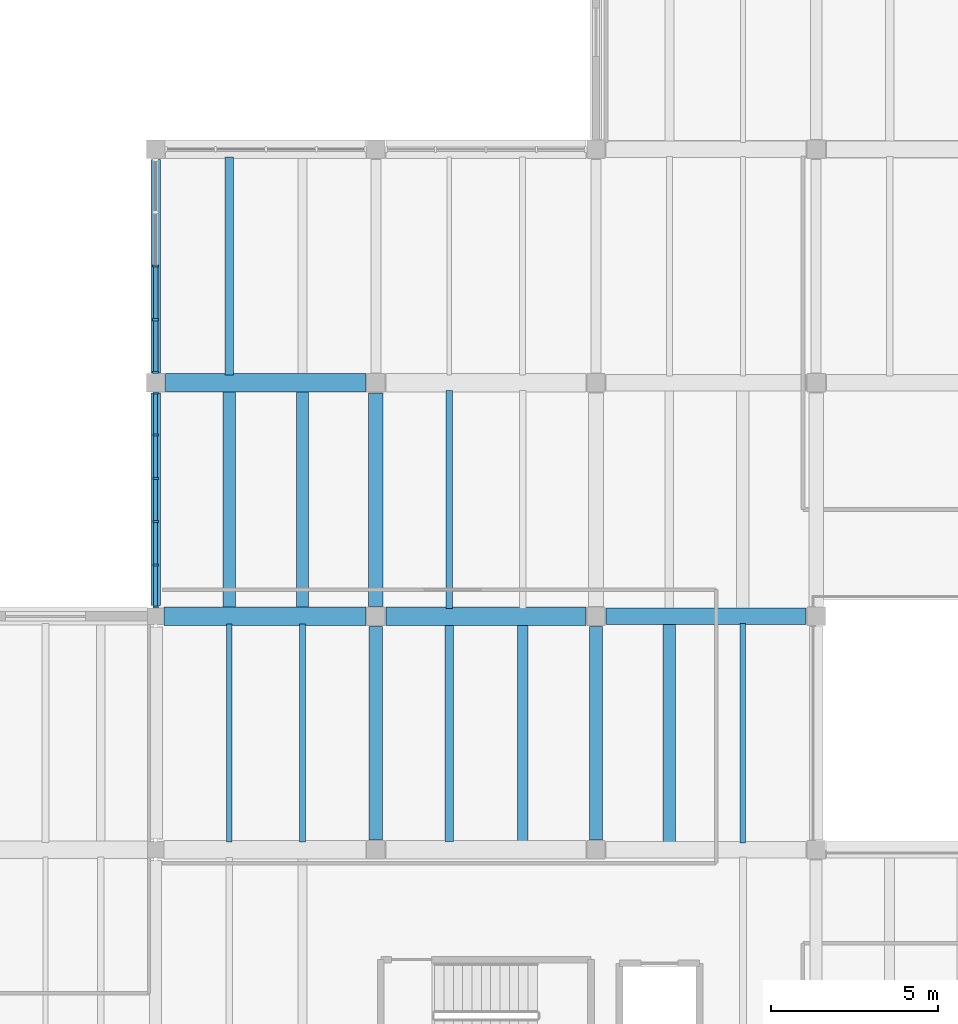
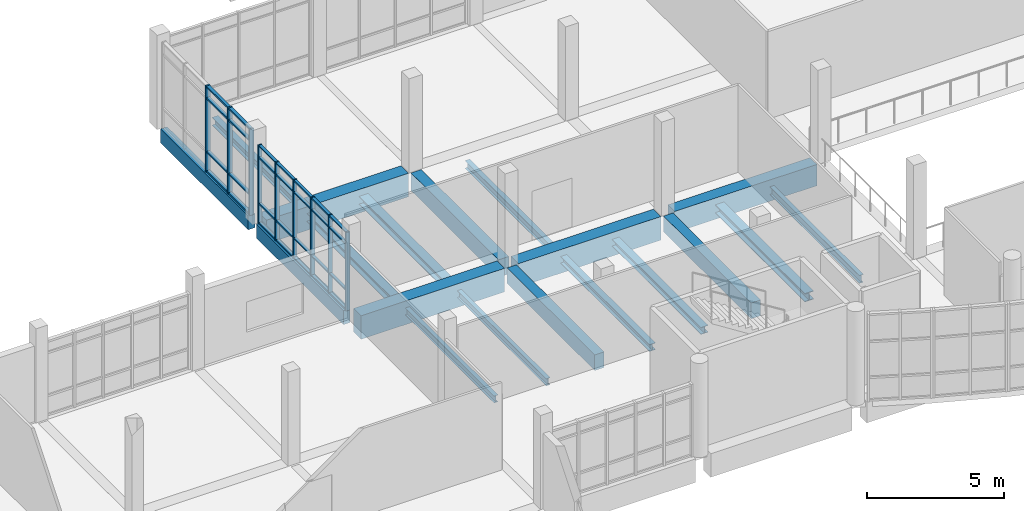
# One storey, part 6 of 65: 37 members, 19 beams, 2 elements without a shape of their own.
"""IFC4 building model written with IfcOpenShell, lengths in metres."""

from ifc_helpers import new_model, si_unit, direction, frame, origin, origin_2d, place, context, subcontext, project, spatial, rectangle, i_section, extrude, material, material_profile, profile_set, type_object, element, aggregate, save


model = new_model("IFC4")

# Units and contexts
model_context = context("Model", 3, precision=1e-05, world=origin(), true_north=direction((0.0, 1.0)))
body_context = subcontext(model_context, "Body", "Model", "MODEL_VIEW")
ifc_project = project(units=[si_unit("LENGTHUNIT", "METRE"), si_unit("AREAUNIT", "SQUARE_METRE"), si_unit("VOLUMEUNIT", "CUBIC_METRE"), si_unit("PLANEANGLEUNIT", "RADIAN"), si_unit("MASSUNIT", "GRAM", prefix="KILO")], contexts=[model_context])

# Site, building, storey
site_placement = place(None, origin())
site = spatial("IfcSite", under=ifc_project, at=site_placement, CompositionType="ELEMENT")
building_placement = place(site_placement, origin())
building = spatial("IfcBuilding", under=site, at=building_placement, Name="Ciguamira Faculty of Natural Sciences", CompositionType="ELEMENT")
storey_placement = place(building_placement, frame((0.0, 0.0, 12.60009765625)))
storey = spatial("IfcBuildingStorey", under=building, at=storey_placement, Name="L03", CompositionType="ELEMENT", Elevation=12.60009765625)

# Curtain wall, members
ifc_material_1 = material(Name="Anodized aluminium curtain wall", Category="aluminium")
curtain_wall_type_1 = type_object("IfcCurtainWallType", Name="CurtainWall_CW-04", PredefinedType="USERDEFINED", material=ifc_material_1)
curtain_wall_1_placement = place(storey_placement, origin())
curtain_wall_1 = element("IfcCurtainWall", 1, at=curtain_wall_1_placement, inside=storey, type_object=curtain_wall_type_1, Name="L03 unitised curtain wall 0100", ObjectType="UNITISED CURTAIN WALL", PredefinedType="USERDEFINED")
ifc_material_2 = material(Name="Anodized aluminium mullion", Category="aluminium")
ifc_material_profile_1 = material_profile(ifc_material_2, rectangle(XDim=0.06005859375, YDim=0.159912109375, at=origin_2d()), Name="ALU-MUL-60X160")
ifc_profile_set_1 = profile_set([ifc_material_profile_1], Name="Anodized aluminium mullion")
member_type_1 = type_object("IfcMemberType", Name="CWMullion_CWM-01", PredefinedType="MULLION", material=ifc_profile_set_1)
member_1_placement = place(storey_placement, frame((50.699951171875, 24.280029296875, 0.0), z_axis=(0.0, 0.0, 1.0), x_axis=(0.0, 1.0, 0.0)))
member_1 = element("IfcMember", 2, at=member_1_placement, type_object=member_type_1, Name="CW-04 mullion 1", PredefinedType="MULLION", context=body_context, shape_type="SweptSolid", body=[
    extrude(rectangle(XDim=0.06005859375, YDim=0.159912109375, at=origin_2d()), origin(), (0.0, 0.0, 1.0), 3.5048828125),
])
member_2_placement = place(storey_placement, frame((50.699951171875, 25.544921875, 0.0), z_axis=(0.0, 0.0, 1.0), x_axis=(0.0, 1.0, 0.0)))
member_2 = element("IfcMember", 3, at=member_2_placement, type_object=member_type_1, Name="CW-04 mullion 2", PredefinedType="MULLION", context=body_context, shape_type="SweptSolid", body=[
    extrude(rectangle(XDim=0.06005859375, YDim=0.159912109375, at=origin_2d()), origin(), (0.0, 0.0, 1.0), 3.5048828125),
])
member_3_placement = place(storey_placement, frame((50.699951171875, 26.840087890625, 0.0), z_axis=(0.0, 0.0, 1.0), x_axis=(0.0, 1.0, 0.0)))
member_3 = element("IfcMember", 4, at=member_3_placement, type_object=member_type_1, Name="CW-04 mullion 3", PredefinedType="MULLION", context=body_context, shape_type="SweptSolid", body=[
    extrude(rectangle(XDim=0.06005859375, YDim=0.159912109375, at=origin_2d()), origin(), (0.0, 0.0, 1.0), 3.5048828125),
])
member_4_placement = place(storey_placement, frame((50.699951171875, 28.135009765625, 0.0), z_axis=(0.0, 0.0, 1.0), x_axis=(0.0, 1.0, 0.0)))
member_4 = element("IfcMember", 5, at=member_4_placement, type_object=member_type_1, Name="CW-04 mullion 4", PredefinedType="MULLION", context=body_context, shape_type="SweptSolid", body=[
    extrude(rectangle(XDim=0.06005859375, YDim=0.159912109375, at=origin_2d()), origin(), (0.0, 0.0, 1.0), 3.5048828125),
])
member_5_placement = place(storey_placement, frame((50.699951171875, 29.429931640625, 0.0), z_axis=(0.0, 0.0, 1.0), x_axis=(0.0, 1.0, 0.0)))
member_5 = element("IfcMember", 6, at=member_5_placement, type_object=member_type_1, Name="CW-04 mullion 5", PredefinedType="MULLION", context=body_context, shape_type="SweptSolid", body=[
    extrude(rectangle(XDim=0.06005859375, YDim=0.159912109375, at=origin_2d()), origin(), (0.0, 0.0, 1.0), 3.5048828125),
])
member_6_placement = place(storey_placement, frame((50.699951171875, 30.695068359375, 0.0), z_axis=(0.0, 0.0, 1.0), x_axis=(0.0, 1.0, 0.0)))
member_6 = element("IfcMember", 7, at=member_6_placement, type_object=member_type_1, Name="CW-04 mullion 6", PredefinedType="MULLION", context=body_context, shape_type="SweptSolid", body=[
    extrude(rectangle(XDim=0.06005859375, YDim=0.159912109375, at=origin_2d()), origin(), (0.0, 0.0, 1.0), 3.5048828125),
])

curtain_wall_type_2 = type_object("IfcCurtainWallType", Name="CurtainWall_CW-05", PredefinedType="USERDEFINED", material=ifc_material_1)
curtain_wall_2_placement = place(storey_placement, origin())
curtain_wall_2 = element("IfcCurtainWall", 8, at=curtain_wall_2_placement, inside=storey, type_object=curtain_wall_type_2, Name="L03 unitised curtain wall 0101", ObjectType="UNITISED CURTAIN WALL", PredefinedType="USERDEFINED")
ifc_material_profile_2 = material_profile(ifc_material_2, rectangle(XDim=0.070068359375, YDim=0.179931640625, at=origin_2d()), Name="ALU-MUL-70X180")
ifc_profile_set_2 = profile_set([ifc_material_profile_2], Name="Anodized aluminium mullion")
member_type_2 = type_object("IfcMemberType", Name="CWMullion_CWM-02", PredefinedType="MULLION", material=ifc_profile_set_2)
member_7_placement = place(storey_placement, frame((50.699951171875, 31.31005859375, 0.0), z_axis=(0.0, 0.0, 1.0), x_axis=(0.0, 1.0, 0.0)))
member_7 = element("IfcMember", 9, at=member_7_placement, type_object=member_type_2, Name="CW-05 mullion 1", PredefinedType="MULLION", context=body_context, shape_type="SweptSolid", body=[
    extrude(rectangle(XDim=0.070068359375, YDim=0.179931640625, at=origin_2d()), origin(), (0.0, 0.0, 1.0), 3.849853515625),
])
member_8_placement = place(storey_placement, frame((50.699951171875, 32.887451171875, 0.0), z_axis=(0.0, 0.0, 1.0), x_axis=(0.0, 1.0, 0.0)))
member_8 = element("IfcMember", 10, at=member_8_placement, type_object=member_type_2, Name="CW-05 mullion 2", PredefinedType="MULLION", context=body_context, shape_type="SweptSolid", body=[
    extrude(rectangle(XDim=0.070068359375, YDim=0.179931640625, at=origin_2d()), origin(), (0.0, 0.0, 1.0), 3.849853515625),
])
member_9_placement = place(storey_placement, frame((50.699951171875, 34.5, 0.0), z_axis=(0.0, 0.0, 1.0), x_axis=(0.0, 1.0, 0.0)))
member_9 = element("IfcMember", 11, at=member_9_placement, type_object=member_type_2, Name="CW-05 mullion 3", PredefinedType="MULLION", context=body_context, shape_type="SweptSolid", body=[
    extrude(rectangle(XDim=0.070068359375, YDim=0.179931640625, at=origin_2d()), origin(), (0.0, 0.0, 1.0), 3.849853515625),
])

# Member
ifc_material_3 = material(Name="Anodized aluminium transom", Category="aluminium")
ifc_material_profile_3 = material_profile(ifc_material_3, rectangle(XDim=0.06005859375, YDim=0.1201171875, at=origin_2d()), Name="ALU-TRN-60X120")
ifc_profile_set_3 = profile_set([ifc_material_profile_3], Name="Anodized aluminium transom")
member_type_3 = type_object("IfcMemberType", Name="CWTransom_CWT-01", PredefinedType="USERDEFINED", material=ifc_profile_set_3)
member_10_placement = place(storey_placement, frame((50.699951171875, 24.31005859375, 0.02978515625), z_axis=(0.0, 1.0, 0.0), x_axis=(0.0, 0.0, 1.0)))
member_10 = element("IfcMember", 12, at=member_10_placement, type_object=member_type_3, Name="CW-04 transom 1.1", ObjectType="TRANSOM", PredefinedType="USERDEFINED", context=body_context, shape_type="SweptSolid", body=[
    extrude(rectangle(XDim=0.06005859375, YDim=0.1201171875, at=origin_2d()), origin(), (0.0, 0.0, 1.0), 1.204833984375),
])

member_11_placement = place(storey_placement, frame((50.699951171875, 24.31005859375, 0.89990234375), z_axis=(0.0, 1.0, 0.0), x_axis=(0.0, 0.0, 1.0)))
member_11 = element("IfcMember", 13, at=member_11_placement, type_object=member_type_3, Name="CW-04 transom 1.2", ObjectType="TRANSOM", PredefinedType="USERDEFINED", context=body_context, shape_type="SweptSolid", body=[
    extrude(rectangle(XDim=0.06005859375, YDim=0.1201171875, at=origin_2d()), origin(), (0.0, 0.0, 1.0), 1.204833984375),
])

member_12_placement = place(storey_placement, frame((50.699951171875, 24.31005859375, 2.954833984375), z_axis=(0.0, 1.0, 0.0), x_axis=(0.0, 0.0, 1.0)))
member_12 = element("IfcMember", 14, at=member_12_placement, type_object=member_type_3, Name="CW-04 transom 1.3", ObjectType="TRANSOM", PredefinedType="USERDEFINED", context=body_context, shape_type="SweptSolid", body=[
    extrude(rectangle(XDim=0.06005859375, YDim=0.1201171875, at=origin_2d()), origin(), (0.0, 0.0, 1.0), 1.204833984375),
])

member_13_placement = place(storey_placement, frame((50.699951171875, 24.31005859375, 3.474853515625), z_axis=(0.0, 1.0, 0.0), x_axis=(0.0, 0.0, 1.0)))
member_13 = element("IfcMember", 15, at=member_13_placement, type_object=member_type_3, Name="CW-04 transom 1.4", ObjectType="TRANSOM", PredefinedType="USERDEFINED", context=body_context, shape_type="SweptSolid", body=[
    extrude(rectangle(XDim=0.06005859375, YDim=0.1201171875, at=origin_2d()), origin(), (0.0, 0.0, 1.0), 1.204833984375),
])

member_14_placement = place(storey_placement, frame((50.699951171875, 25.574951171875, 0.02978515625), z_axis=(0.0, 1.0, 0.0), x_axis=(0.0, 0.0, 1.0)))
member_14 = element("IfcMember", 16, at=member_14_placement, type_object=member_type_3, Name="CW-04 transom 2.1", ObjectType="TRANSOM", PredefinedType="USERDEFINED", context=body_context, shape_type="SweptSolid", body=[
    extrude(rectangle(XDim=0.06005859375, YDim=0.1201171875, at=origin_2d()), origin(), (0.0, 0.0, 1.0), 1.235107421875),
])

member_15_placement = place(storey_placement, frame((50.699951171875, 25.574951171875, 0.89990234375), z_axis=(0.0, 1.0, 0.0), x_axis=(0.0, 0.0, 1.0)))
member_15 = element("IfcMember", 17, at=member_15_placement, type_object=member_type_3, Name="CW-04 transom 2.2", ObjectType="TRANSOM", PredefinedType="USERDEFINED", context=body_context, shape_type="SweptSolid", body=[
    extrude(rectangle(XDim=0.06005859375, YDim=0.1201171875, at=origin_2d()), origin(), (0.0, 0.0, 1.0), 1.235107421875),
])

member_16_placement = place(storey_placement, frame((50.699951171875, 25.574951171875, 2.954833984375), z_axis=(0.0, 1.0, 0.0), x_axis=(0.0, 0.0, 1.0)))
member_16 = element("IfcMember", 18, at=member_16_placement, type_object=member_type_3, Name="CW-04 transom 2.3", ObjectType="TRANSOM", PredefinedType="USERDEFINED", context=body_context, shape_type="SweptSolid", body=[
    extrude(rectangle(XDim=0.06005859375, YDim=0.1201171875, at=origin_2d()), origin(), (0.0, 0.0, 1.0), 1.235107421875),
])

member_17_placement = place(storey_placement, frame((50.699951171875, 25.574951171875, 3.474853515625), z_axis=(0.0, 1.0, 0.0), x_axis=(0.0, 0.0, 1.0)))
member_17 = element("IfcMember", 19, at=member_17_placement, type_object=member_type_3, Name="CW-04 transom 2.4", ObjectType="TRANSOM", PredefinedType="USERDEFINED", context=body_context, shape_type="SweptSolid", body=[
    extrude(rectangle(XDim=0.06005859375, YDim=0.1201171875, at=origin_2d()), origin(), (0.0, 0.0, 1.0), 1.235107421875),
])

member_18_placement = place(storey_placement, frame((50.699951171875, 26.8701171875, 0.02978515625), z_axis=(0.0, 1.0, 0.0), x_axis=(0.0, 0.0, 1.0)))
member_18 = element("IfcMember", 20, at=member_18_placement, type_object=member_type_3, Name="CW-04 transom 3.1", ObjectType="TRANSOM", PredefinedType="USERDEFINED", context=body_context, shape_type="SweptSolid", body=[
    extrude(rectangle(XDim=0.06005859375, YDim=0.1201171875, at=origin_2d()), origin(), (0.0, 0.0, 1.0), 1.23486328125),
])

member_19_placement = place(storey_placement, frame((50.699951171875, 26.8701171875, 0.89990234375), z_axis=(0.0, 1.0, 0.0), x_axis=(0.0, 0.0, 1.0)))
member_19 = element("IfcMember", 21, at=member_19_placement, type_object=member_type_3, Name="CW-04 transom 3.2", ObjectType="TRANSOM", PredefinedType="USERDEFINED", context=body_context, shape_type="SweptSolid", body=[
    extrude(rectangle(XDim=0.06005859375, YDim=0.1201171875, at=origin_2d()), origin(), (0.0, 0.0, 1.0), 1.23486328125),
])

member_20_placement = place(storey_placement, frame((50.699951171875, 26.8701171875, 2.954833984375), z_axis=(0.0, 1.0, 0.0), x_axis=(0.0, 0.0, 1.0)))
member_20 = element("IfcMember", 22, at=member_20_placement, type_object=member_type_3, Name="CW-04 transom 3.3", ObjectType="TRANSOM", PredefinedType="USERDEFINED", context=body_context, shape_type="SweptSolid", body=[
    extrude(rectangle(XDim=0.06005859375, YDim=0.1201171875, at=origin_2d()), origin(), (0.0, 0.0, 1.0), 1.23486328125),
])

member_21_placement = place(storey_placement, frame((50.699951171875, 26.8701171875, 3.474853515625), z_axis=(0.0, 1.0, 0.0), x_axis=(0.0, 0.0, 1.0)))
member_21 = element("IfcMember", 23, at=member_21_placement, type_object=member_type_3, Name="CW-04 transom 3.4", ObjectType="TRANSOM", PredefinedType="USERDEFINED", context=body_context, shape_type="SweptSolid", body=[
    extrude(rectangle(XDim=0.06005859375, YDim=0.1201171875, at=origin_2d()), origin(), (0.0, 0.0, 1.0), 1.23486328125),
])

member_22_placement = place(storey_placement, frame((50.699951171875, 28.1650390625, 0.02978515625), z_axis=(0.0, 1.0, 0.0), x_axis=(0.0, 0.0, 1.0)))
member_22 = element("IfcMember", 24, at=member_22_placement, type_object=member_type_3, Name="CW-04 transom 4.1", ObjectType="TRANSOM", PredefinedType="USERDEFINED", context=body_context, shape_type="SweptSolid", body=[
    extrude(rectangle(XDim=0.06005859375, YDim=0.1201171875, at=origin_2d()), origin(), (0.0, 0.0, 1.0), 1.23486328125),
])

member_23_placement = place(storey_placement, frame((50.699951171875, 28.1650390625, 0.89990234375), z_axis=(0.0, 1.0, 0.0), x_axis=(0.0, 0.0, 1.0)))
member_23 = element("IfcMember", 25, at=member_23_placement, type_object=member_type_3, Name="CW-04 transom 4.2", ObjectType="TRANSOM", PredefinedType="USERDEFINED", context=body_context, shape_type="SweptSolid", body=[
    extrude(rectangle(XDim=0.06005859375, YDim=0.1201171875, at=origin_2d()), origin(), (0.0, 0.0, 1.0), 1.23486328125),
])

member_24_placement = place(storey_placement, frame((50.699951171875, 28.1650390625, 2.954833984375), z_axis=(0.0, 1.0, 0.0), x_axis=(0.0, 0.0, 1.0)))
member_24 = element("IfcMember", 26, at=member_24_placement, type_object=member_type_3, Name="CW-04 transom 4.3", ObjectType="TRANSOM", PredefinedType="USERDEFINED", context=body_context, shape_type="SweptSolid", body=[
    extrude(rectangle(XDim=0.06005859375, YDim=0.1201171875, at=origin_2d()), origin(), (0.0, 0.0, 1.0), 1.23486328125),
])

member_25_placement = place(storey_placement, frame((50.699951171875, 28.1650390625, 3.474853515625), z_axis=(0.0, 1.0, 0.0), x_axis=(0.0, 0.0, 1.0)))
member_25 = element("IfcMember", 27, at=member_25_placement, type_object=member_type_3, Name="CW-04 transom 4.4", ObjectType="TRANSOM", PredefinedType="USERDEFINED", context=body_context, shape_type="SweptSolid", body=[
    extrude(rectangle(XDim=0.06005859375, YDim=0.1201171875, at=origin_2d()), origin(), (0.0, 0.0, 1.0), 1.23486328125),
])

member_26_placement = place(storey_placement, frame((50.699951171875, 29.4599609375, 0.02978515625), z_axis=(0.0, 1.0, 0.0), x_axis=(0.0, 0.0, 1.0)))
member_26 = element("IfcMember", 28, at=member_26_placement, type_object=member_type_3, Name="CW-04 transom 5.1", ObjectType="TRANSOM", PredefinedType="USERDEFINED", context=body_context, shape_type="SweptSolid", body=[
    extrude(rectangle(XDim=0.06005859375, YDim=0.1201171875, at=origin_2d()), origin(), (0.0, 0.0, 1.0), 1.205078125),
])

member_27_placement = place(storey_placement, frame((50.699951171875, 29.4599609375, 0.89990234375), z_axis=(0.0, 1.0, 0.0), x_axis=(0.0, 0.0, 1.0)))
member_27 = element("IfcMember", 29, at=member_27_placement, type_object=member_type_3, Name="CW-04 transom 5.2", ObjectType="TRANSOM", PredefinedType="USERDEFINED", context=body_context, shape_type="SweptSolid", body=[
    extrude(rectangle(XDim=0.06005859375, YDim=0.1201171875, at=origin_2d()), origin(), (0.0, 0.0, 1.0), 1.205078125),
])

member_28_placement = place(storey_placement, frame((50.699951171875, 29.4599609375, 2.954833984375), z_axis=(0.0, 1.0, 0.0), x_axis=(0.0, 0.0, 1.0)))
member_28 = element("IfcMember", 30, at=member_28_placement, type_object=member_type_3, Name="CW-04 transom 5.3", ObjectType="TRANSOM", PredefinedType="USERDEFINED", context=body_context, shape_type="SweptSolid", body=[
    extrude(rectangle(XDim=0.06005859375, YDim=0.1201171875, at=origin_2d()), origin(), (0.0, 0.0, 1.0), 1.205078125),
])

member_29_placement = place(storey_placement, frame((50.699951171875, 29.4599609375, 3.474853515625), z_axis=(0.0, 1.0, 0.0), x_axis=(0.0, 0.0, 1.0)))
member_29 = element("IfcMember", 31, at=member_29_placement, type_object=member_type_3, Name="CW-04 transom 5.4", ObjectType="TRANSOM", PredefinedType="USERDEFINED", context=body_context, shape_type="SweptSolid", body=[
    extrude(rectangle(XDim=0.06005859375, YDim=0.1201171875, at=origin_2d()), origin(), (0.0, 0.0, 1.0), 1.205078125),
])

aggregate(curtain_wall_1, [member_1, member_2, member_3, member_4, member_5, member_6, member_10, member_11, member_12, member_13, member_14, member_15, member_16, member_17, member_18, member_19, member_20, member_21, member_22, member_23, member_24, member_25, member_26, member_27, member_28, member_29])

ifc_material_profile_4 = material_profile(ifc_material_3, rectangle(XDim=0.070068359375, YDim=0.139892578125, at=origin_2d()), Name="ALU-TRN-70X140")
ifc_profile_set_4 = profile_set([ifc_material_profile_4], Name="Anodized aluminium transom")
member_type_4 = type_object("IfcMemberType", Name="CWTransom_CWT-02", PredefinedType="USERDEFINED", material=ifc_profile_set_4)
member_30_placement = place(storey_placement, frame((50.699951171875, 31.344970703125, 0.034912109375), z_axis=(0.0, 1.0, 0.0), x_axis=(0.0, 0.0, 1.0)))
member_30 = element("IfcMember", 32, at=member_30_placement, type_object=member_type_4, Name="CW-05 transom 1.1", ObjectType="TRANSOM", PredefinedType="USERDEFINED", context=body_context, shape_type="SweptSolid", body=[
    extrude(rectangle(XDim=0.070068359375, YDim=0.139892578125, at=origin_2d()), origin(), (0.0, 0.0, 1.0), 1.507568359375),
])

member_31_placement = place(storey_placement, frame((50.699951171875, 31.344970703125, 0.89990234375), z_axis=(0.0, 1.0, 0.0), x_axis=(0.0, 0.0, 1.0)))
member_31 = element("IfcMember", 33, at=member_31_placement, type_object=member_type_4, Name="CW-05 transom 1.2", ObjectType="TRANSOM", PredefinedType="USERDEFINED", context=body_context, shape_type="SweptSolid", body=[
    extrude(rectangle(XDim=0.070068359375, YDim=0.139892578125, at=origin_2d()), origin(), (0.0, 0.0, 1.0), 1.507568359375),
])

member_32_placement = place(storey_placement, frame((50.699951171875, 31.344970703125, 3.2998046875), z_axis=(0.0, 1.0, 0.0), x_axis=(0.0, 0.0, 1.0)))
member_32 = element("IfcMember", 34, at=member_32_placement, type_object=member_type_4, Name="CW-05 transom 1.3", ObjectType="TRANSOM", PredefinedType="USERDEFINED", context=body_context, shape_type="SweptSolid", body=[
    extrude(rectangle(XDim=0.070068359375, YDim=0.139892578125, at=origin_2d()), origin(), (0.0, 0.0, 1.0), 1.507568359375),
])

member_33_placement = place(storey_placement, frame((50.699951171875, 31.344970703125, 3.81494140625), z_axis=(0.0, 1.0, 0.0), x_axis=(0.0, 0.0, 1.0)))
member_33 = element("IfcMember", 35, at=member_33_placement, type_object=member_type_4, Name="CW-05 transom 1.4", ObjectType="TRANSOM", PredefinedType="USERDEFINED", context=body_context, shape_type="SweptSolid", body=[
    extrude(rectangle(XDim=0.070068359375, YDim=0.139892578125, at=origin_2d()), origin(), (0.0, 0.0, 1.0), 1.507568359375),
])

member_34_placement = place(storey_placement, frame((50.699951171875, 32.922607421875, 0.034912109375), z_axis=(0.0, 1.0, 0.0), x_axis=(0.0, 0.0, 1.0)))
member_34 = element("IfcMember", 36, at=member_34_placement, type_object=member_type_4, Name="CW-05 transom 2.1", ObjectType="TRANSOM", PredefinedType="USERDEFINED", context=body_context, shape_type="SweptSolid", body=[
    extrude(rectangle(XDim=0.070068359375, YDim=0.139892578125, at=origin_2d()), origin(), (0.0, 0.0, 1.0), 1.54248046875),
])

member_35_placement = place(storey_placement, frame((50.699951171875, 32.922607421875, 0.89990234375), z_axis=(0.0, 1.0, 0.0), x_axis=(0.0, 0.0, 1.0)))
member_35 = element("IfcMember", 37, at=member_35_placement, type_object=member_type_4, Name="CW-05 transom 2.2", ObjectType="TRANSOM", PredefinedType="USERDEFINED", context=body_context, shape_type="SweptSolid", body=[
    extrude(rectangle(XDim=0.070068359375, YDim=0.139892578125, at=origin_2d()), origin(), (0.0, 0.0, 1.0), 1.54248046875),
])

member_36_placement = place(storey_placement, frame((50.699951171875, 32.922607421875, 3.2998046875), z_axis=(0.0, 1.0, 0.0), x_axis=(0.0, 0.0, 1.0)))
member_36 = element("IfcMember", 38, at=member_36_placement, type_object=member_type_4, Name="CW-05 transom 2.3", ObjectType="TRANSOM", PredefinedType="USERDEFINED", context=body_context, shape_type="SweptSolid", body=[
    extrude(rectangle(XDim=0.070068359375, YDim=0.139892578125, at=origin_2d()), origin(), (0.0, 0.0, 1.0), 1.54248046875),
])

member_37_placement = place(storey_placement, frame((50.699951171875, 32.922607421875, 3.81494140625), z_axis=(0.0, 1.0, 0.0), x_axis=(0.0, 0.0, 1.0)))
member_37 = element("IfcMember", 39, at=member_37_placement, type_object=member_type_4, Name="CW-05 transom 2.4", ObjectType="TRANSOM", PredefinedType="USERDEFINED", context=body_context, shape_type="SweptSolid", body=[
    extrude(rectangle(XDim=0.070068359375, YDim=0.139892578125, at=origin_2d()), origin(), (0.0, 0.0, 1.0), 1.54248046875),
])

aggregate(curtain_wall_2, [member_7, member_8, member_9, member_30, member_31, member_32, member_33, member_34, member_35, member_36, member_37])

# Beams
ifc_material_4 = material(Name="Concrete C40/50", Category="concrete")
ifc_material_profile_5 = material_profile(ifc_material_4, rectangle(XDim=0.550048828125, YDim=1.050048828125, at=origin_2d()), Name="RC-BM-550X1050")
ifc_profile_set_5 = profile_set([ifc_material_profile_5], Name="Concrete C40/50")
beam_type_1 = type_object("IfcBeamType", Name="RCBeam_BG-01_RC-BM-550X1050", PredefinedType="BEAM", material=ifc_profile_set_5)
beam_1_placement = place(storey_placement, frame((50.949951171875, 24.0, -0.525146484375), z_axis=(1.0, 0.0, 0.0), x_axis=(0.0, 1.0, 0.0)))
element("IfcBeam", 40, at=beam_1_placement, inside=storey, type_object=beam_type_1, Name="L03 RC girder EW-1063", PredefinedType="BEAM", context=body_context, shape_type="SweptSolid", body=[
    extrude(rectangle(XDim=0.550048828125, YDim=1.050048828125, at=origin_2d()), origin(), (0.0, 0.0, 1.0), 6.050048828125),
])
for number, where, z_axis, x_axis, name in (
    (41, (57.60009765625, 24.0, -0.525146484375), (1.0, 0.0, 0.0), (0.0, 1.0, 0.0), "L03 RC girder EW-1064"),
    (42, (51.0, 31.0, -0.525146484375), (1.0, 0.0, 0.0), (0.0, 1.0, 0.0), "L03 RC girder EW-1069"),
):
    element("IfcBeam", number, at=place(storey_placement, frame(where, z_axis=z_axis, x_axis=x_axis)), inside=storey, type_object=beam_type_1, Name=name, PredefinedType="BEAM", context=body_context, shape_type="SweptSolid", body=[
        extrude(rectangle(XDim=0.550048828125, YDim=1.050048828125, at=origin_2d()), origin(), (0.0, 0.0, 1.0), 6.0),
    ])
ifc_material_profile_6 = material_profile(ifc_material_4, rectangle(XDim=0.5, YDim=0.949951171875, at=origin_2d()), Name="RC-BM-500X950")
ifc_profile_set_6 = profile_set([ifc_material_profile_6], Name="Concrete C40/50")
beam_type_2 = type_object("IfcBeamType", Name="RCBeam_BG-02_RC-BM-500X950", PredefinedType="BEAM", material=ifc_profile_set_6)
beam_2_placement = place(storey_placement, frame((64.199951171875, 24.0, -0.47509765625), z_axis=(1.0, 0.0, 0.0), x_axis=(0.0, 1.0, 0.0)))
element("IfcBeam", 43, at=beam_2_placement, inside=storey, type_object=beam_type_2, Name="L03 RC girder EW-1065", PredefinedType="BEAM", context=body_context, shape_type="SweptSolid", body=[
    extrude(rectangle(XDim=0.5, YDim=0.949951171875, at=origin_2d()), origin(), (0.0, 0.0, 1.0), 6.0),
])
ifc_material_profile_7 = material_profile(ifc_material_4, rectangle(XDim=0.43994140625, YDim=0.780029296875, at=origin_2d()), Name="RC-BM-440X780")
ifc_profile_set_7 = profile_set([ifc_material_profile_7], Name="Concrete C40/50")
beam_type_3 = type_object("IfcBeamType", Name="RCBeam_BG-06_RC-BM-440X780", PredefinedType="BEAM", material=ifc_profile_set_7)
beam_3_placement = place(storey_placement, frame((57.300048828125, 24.300048828125, -0.39013671875), z_axis=(0.0, 1.0, 0.0), x_axis=(-1.0, 0.0, 0.0)))
element("IfcBeam", 44, at=beam_3_placement, inside=storey, type_object=beam_type_3, Name="L03 girder NS-1206", PredefinedType="BEAM", context=body_context, shape_type="SweptSolid", body=[
    extrude(rectangle(XDim=0.43994140625, YDim=0.780029296875, at=origin_2d()), origin(), (0.0, 0.0, 1.0), 6.39990234375),
])
ifc_material_profile_8 = material_profile(ifc_material_4, rectangle(XDim=0.39990234375, YDim=0.699951171875, at=origin_2d()), Name="RC-BM-400X700")
ifc_profile_set_8 = profile_set([ifc_material_profile_8], Name="Concrete C40/50")
beam_type_4 = type_object("IfcBeamType", Name="RCBeam_BG-08_RC-BM-400X700", PredefinedType="BEAM", material=ifc_profile_set_8)
for number, where, z_axis, x_axis, name in (
    (45, (57.300048828125, 17.300048828125, -0.35009765625), (0.0, 1.0, 0.0), (-1.0, 0.0, 0.0), "L03 girder NS-1205"),
    (46, (63.89990234375, 17.300048828125, -0.35009765625), (0.0, 1.0, 0.0), (-1.0, 0.0, 0.0), "L03 girder NS-1216"),
):
    element("IfcBeam", number, at=place(storey_placement, frame(where, z_axis=z_axis, x_axis=x_axis)), inside=storey, type_object=beam_type_4, Name=name, PredefinedType="BEAM", context=body_context, shape_type="SweptSolid", body=[
        extrude(rectangle(XDim=0.39990234375, YDim=0.699951171875, at=origin_2d()), origin(), (0.0, 0.0, 1.0), 6.39990234375),
    ])
ifc_material_5 = material(Name="Precast concrete C40/50", Category="concrete")
ifc_material_profile_9 = material_profile(ifc_material_5, rectangle(XDim=0.280029296875, YDim=0.6201171875, at=origin_2d()), Name="RC-SP-280X620")
ifc_profile_set_9 = profile_set([ifc_material_profile_9], Name="Precast concrete C40/50")
beam_type_5 = type_object("IfcBeamType", Name="RCBeam_SP-01_RC-SP-280X620", PredefinedType="SPANDREL", material=ifc_profile_set_9)
beam_4_placement = place(storey_placement, frame((50.699951171875, 24.324951171875, -0.31005859375), z_axis=(0.0, 1.0, 0.0), x_axis=(-1.0, 0.0, 0.0)))
element("IfcBeam", 47, at=beam_4_placement, inside=storey, type_object=beam_type_5, Name="L03 girder NS-1203", PredefinedType="SPANDREL", context=body_context, shape_type="SweptSolid", body=[
    extrude(rectangle(XDim=0.280029296875, YDim=0.6201171875, at=origin_2d()), origin(), (0.0, 0.0, 1.0), 6.375),
])
beam_5_placement = place(storey_placement, frame((50.699951171875, 31.300048828125, -0.31005859375), z_axis=(0.0, 1.0, 0.0), x_axis=(-1.0, 0.0, 0.0)))
element("IfcBeam", 48, at=beam_5_placement, inside=storey, type_object=beam_type_5, Name="L03 girder NS-1204", PredefinedType="SPANDREL", context=body_context, shape_type="SweptSolid", body=[
    extrude(rectangle(XDim=0.280029296875, YDim=0.6201171875, at=origin_2d()), origin(), (0.0, 0.0, 1.0), 6.39990234375),
])
ifc_material_6 = material(Name="Steel ASTM A992 Grade 50", Category="steel")
ifc_material_profile_10 = material_profile(ifc_material_6, i_section(OverallWidth=0.164794921875, OverallDepth=0.309814453125, WebThickness=0.005859375, FlangeThickness=0.009765625, at=origin_2d()), Name="W12X26")
ifc_profile_set_10 = profile_set([ifc_material_profile_10], Name="Steel ASTM A992 Grade 50")
beam_type_6 = type_object("IfcBeamType", Name="SteelJoist_SJ-04_W12X26", PredefinedType="JOIST", material=ifc_profile_set_10)
beam_6_placement = place(storey_placement, frame((52.89990234375, 17.235107421875, -0.455078125), z_axis=(0.0, 1.0, 0.0), x_axis=(-1.0, 0.0, 0.0)))
element("IfcBeam", 49, at=beam_6_placement, inside=storey, type_object=beam_type_6, Name="L03 composite steel joist 01015", PredefinedType="JOIST", context=body_context, shape_type="SweptSolid", body=[
    extrude(i_section(OverallWidth=0.164794921875, OverallDepth=0.309814453125, WebThickness=0.005859375, FlangeThickness=0.009765625, at=origin_2d()), origin(), (0.0, 0.0, 1.0), 6.52978515625),
])
ifc_material_profile_11 = material_profile(ifc_material_6, i_section(OverallWidth=0.16650390625, OverallDepth=0.3173828125, WebThickness=0.007568359375, FlangeThickness=0.01318359375, at=origin_2d()), Name="W12X35")
ifc_profile_set_11 = profile_set([ifc_material_profile_11], Name="Steel ASTM A992 Grade 50")
beam_type_7 = type_object("IfcBeamType", Name="SteelJoist_SJ-05_W12X35", PredefinedType="JOIST", material=ifc_profile_set_11)
beam_7_placement = place(storey_placement, frame((55.10009765625, 17.235107421875, -0.458740234375), z_axis=(0.0, 1.0, 0.0), x_axis=(-1.0, 0.0, 0.0)))
element("IfcBeam", 50, at=beam_7_placement, inside=storey, type_object=beam_type_7, Name="L03 composite steel joist 01016", PredefinedType="JOIST", context=body_context, shape_type="SweptSolid", body=[
    extrude(i_section(OverallWidth=0.16650390625, OverallDepth=0.3173828125, WebThickness=0.007568359375, FlangeThickness=0.01318359375, at=origin_2d()), origin(), (0.0, 0.0, 1.0), 6.52978515625),
])
ifc_material_profile_12 = material_profile(ifc_material_6, i_section(OverallWidth=0.25390625, OverallDepth=0.307373046875, WebThickness=0.0087890625, FlangeThickness=0.0146484375, at=origin_2d()), Name="W12X53")
ifc_profile_set_12 = profile_set([ifc_material_profile_12], Name="Steel ASTM A992 Grade 50")
beam_type_8 = type_object("IfcBeamType", Name="SteelJoist_SJ-07_W12X53", PredefinedType="JOIST", material=ifc_profile_set_12)
beam_8_placement = place(storey_placement, frame((59.5, 17.235107421875, -0.453857421875), z_axis=(0.0, 1.0, 0.0), x_axis=(-1.0, 0.0, 0.0)))
element("IfcBeam", 51, at=beam_8_placement, inside=storey, type_object=beam_type_8, Name="L03 composite steel joist 01021", PredefinedType="JOIST", context=body_context, shape_type="SweptSolid", body=[
    extrude(i_section(OverallWidth=0.25390625, OverallDepth=0.307373046875, WebThickness=0.0087890625, FlangeThickness=0.0146484375, at=origin_2d()), origin(), (0.0, 0.0, 1.0), 6.52978515625),
])
ifc_material_profile_13 = material_profile(ifc_material_6, i_section(OverallWidth=0.3046875, OverallDepth=0.307373046875, WebThickness=0.010009765625, FlangeThickness=0.015380859375, at=origin_2d()), Name="W12X65")
ifc_profile_set_13 = profile_set([ifc_material_profile_13], Name="Steel ASTM A992 Grade 50")
beam_type_9 = type_object("IfcBeamType", Name="SteelJoist_SJ-08_W12X65", PredefinedType="JOIST", material=ifc_profile_set_13)
beam_9_placement = place(storey_placement, frame((61.699951171875, 17.235107421875, -0.453857421875), z_axis=(0.0, 1.0, 0.0), x_axis=(-1.0, 0.0, 0.0)))
element("IfcBeam", 52, at=beam_9_placement, inside=storey, type_object=beam_type_9, Name="L03 composite steel joist 01022", PredefinedType="JOIST", context=body_context, shape_type="SweptSolid", body=[
    extrude(i_section(OverallWidth=0.3046875, OverallDepth=0.307373046875, WebThickness=0.010009765625, FlangeThickness=0.015380859375, at=origin_2d()), origin(), (0.0, 0.0, 1.0), 6.52978515625),
])
ifc_material_profile_14 = material_profile(ifc_material_6, i_section(OverallWidth=0.370849609375, OverallDepth=0.36328125, WebThickness=0.013427734375, FlangeThickness=0.021728515625, at=origin_2d()), Name="W14X109")
ifc_profile_set_14 = profile_set([ifc_material_profile_14], Name="Steel ASTM A992 Grade 50")
beam_type_10 = type_object("IfcBeamType", Name="SteelJoist_SJ-09_W14X109", PredefinedType="JOIST", material=ifc_profile_set_14)
beam_10_placement = place(storey_placement, frame((52.89990234375, 24.235107421875, -0.481689453125), z_axis=(0.0, 1.0, 0.0), x_axis=(-1.0, 0.0, 0.0)))
element("IfcBeam", 53, at=beam_10_placement, inside=storey, type_object=beam_type_10, Name="L03 composite steel joist 01017", PredefinedType="JOIST", context=body_context, shape_type="SweptSolid", body=[
    extrude(i_section(OverallWidth=0.370849609375, OverallDepth=0.36328125, WebThickness=0.013427734375, FlangeThickness=0.021728515625, at=origin_2d()), origin(), (0.0, 0.0, 1.0), 6.52978515625),
])
ifc_material_profile_15 = material_profile(ifc_material_6, i_section(OverallWidth=0.373291015625, OverallDepth=0.373291015625, WebThickness=0.016357421875, FlangeThickness=0.026123046875, at=origin_2d()), Name="W14X132")
ifc_profile_set_15 = profile_set([ifc_material_profile_15], Name="Steel ASTM A992 Grade 50")
beam_type_11 = type_object("IfcBeamType", Name="SteelJoist_SJ-10_W14X132", PredefinedType="JOIST", material=ifc_profile_set_15)
beam_11_placement = place(storey_placement, frame((55.10009765625, 24.235107421875, -0.48681640625), z_axis=(0.0, 1.0, 0.0), x_axis=(-1.0, 0.0, 0.0)))
element("IfcBeam", 54, at=beam_11_placement, inside=storey, type_object=beam_type_11, Name="L03 composite steel joist 01018", PredefinedType="JOIST", context=body_context, shape_type="SweptSolid", body=[
    extrude(i_section(OverallWidth=0.373291015625, OverallDepth=0.373291015625, WebThickness=0.016357421875, FlangeThickness=0.026123046875, at=origin_2d()), origin(), (0.0, 0.0, 1.0), 6.52978515625),
])
beam_12_placement = place(storey_placement, frame((66.10009765625, 17.2099609375, -0.48681640625), z_axis=(0.0, 1.0, 0.0), x_axis=(-1.0, 0.0, 0.0)))
element("IfcBeam", 55, at=beam_12_placement, inside=storey, type_object=beam_type_11, Name="L03 composite steel joist 01049", PredefinedType="JOIST", context=body_context, shape_type="SweptSolid", body=[
    extrude(i_section(OverallWidth=0.373291015625, OverallDepth=0.373291015625, WebThickness=0.016357421875, FlangeThickness=0.026123046875, at=origin_2d()), origin(), (0.0, 0.0, 1.0), 6.580078125),
])
ifc_material_profile_16 = material_profile(ifc_material_6, i_section(OverallWidth=0.1708984375, OverallDepth=0.3505859375, WebThickness=0.0068359375, FlangeThickness=0.009765625, at=origin_2d()), Name="W14X30")
ifc_profile_set_16 = profile_set([ifc_material_profile_16], Name="Steel ASTM A992 Grade 50")
beam_type_12 = type_object("IfcBeamType", Name="SteelJoist_SJ-11_W14X30", PredefinedType="JOIST", material=ifc_profile_set_16)
beam_13_placement = place(storey_placement, frame((68.300048828125, 17.2099609375, -0.475341796875), z_axis=(0.0, 1.0, 0.0), x_axis=(-1.0, 0.0, 0.0)))
element("IfcBeam", 56, at=beam_13_placement, inside=storey, type_object=beam_type_12, Name="L03 composite steel joist 01050", PredefinedType="JOIST", context=body_context, shape_type="SweptSolid", body=[
    extrude(i_section(OverallWidth=0.1708984375, OverallDepth=0.3505859375, WebThickness=0.0068359375, FlangeThickness=0.009765625, at=origin_2d()), origin(), (0.0, 0.0, 1.0), 6.580078125),
])
ifc_material_profile_17 = material_profile(ifc_material_6, i_section(OverallWidth=0.203125, OverallDepth=0.347900390625, WebThickness=0.0078125, FlangeThickness=0.013427734375, at=origin_2d()), Name="W14X43")
ifc_profile_set_17 = profile_set([ifc_material_profile_17], Name="Steel ASTM A992 Grade 50")
beam_type_13 = type_object("IfcBeamType", Name="SteelJoist_SJ-12_W14X43", PredefinedType="JOIST", material=ifc_profile_set_17)
beam_14_placement = place(storey_placement, frame((59.5, 24.235107421875, -0.47412109375), z_axis=(0.0, 1.0, 0.0), x_axis=(-1.0, 0.0, 0.0)))
element("IfcBeam", 57, at=beam_14_placement, inside=storey, type_object=beam_type_13, Name="L03 composite steel joist 01023", PredefinedType="JOIST", context=body_context, shape_type="SweptSolid", body=[
    extrude(i_section(OverallWidth=0.203125, OverallDepth=0.347900390625, WebThickness=0.0078125, FlangeThickness=0.013427734375, at=origin_2d()), origin(), (0.0, 0.0, 1.0), 6.52978515625),
])
ifc_material_profile_18 = material_profile(ifc_material_6, i_section(OverallWidth=0.25390625, OverallDepth=0.355712890625, WebThickness=0.010498046875, FlangeThickness=0.018310546875, at=origin_2d()), Name="W14X68")
ifc_profile_set_18 = profile_set([ifc_material_profile_18], Name="Steel ASTM A992 Grade 50")
beam_type_14 = type_object("IfcBeamType", Name="SteelJoist_SJ-14_W14X68", PredefinedType="JOIST", material=ifc_profile_set_18)
beam_15_placement = place(storey_placement, frame((52.89990234375, 31.235107421875, -0.477783203125), z_axis=(0.0, 1.0, 0.0), x_axis=(-1.0, 0.0, 0.0)))
element("IfcBeam", 58, at=beam_15_placement, inside=storey, type_object=beam_type_14, Name="L03 composite steel joist 01019", PredefinedType="JOIST", context=body_context, shape_type="SweptSolid", body=[
    extrude(i_section(OverallWidth=0.25390625, OverallDepth=0.355712890625, WebThickness=0.010498046875, FlangeThickness=0.018310546875, at=origin_2d()), origin(), (0.0, 0.0, 1.0), 6.52978515625),
])

save(model, "model.ifc")
